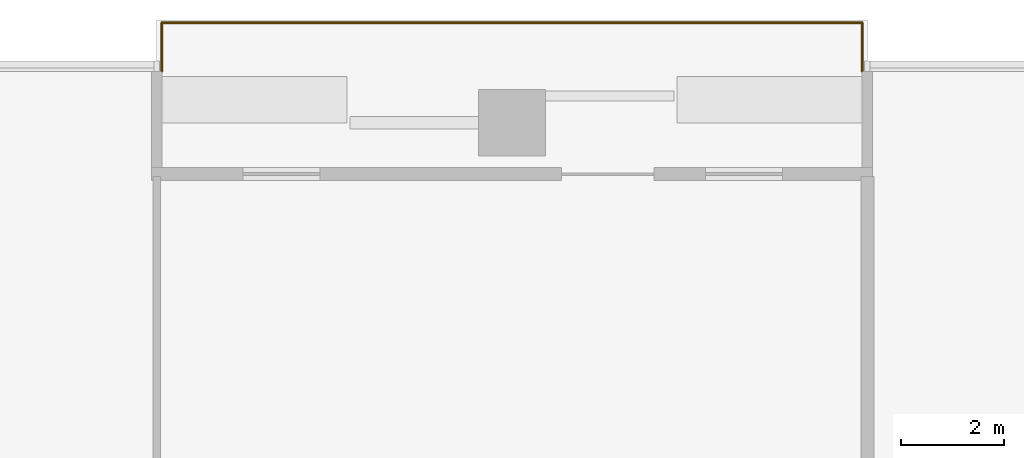
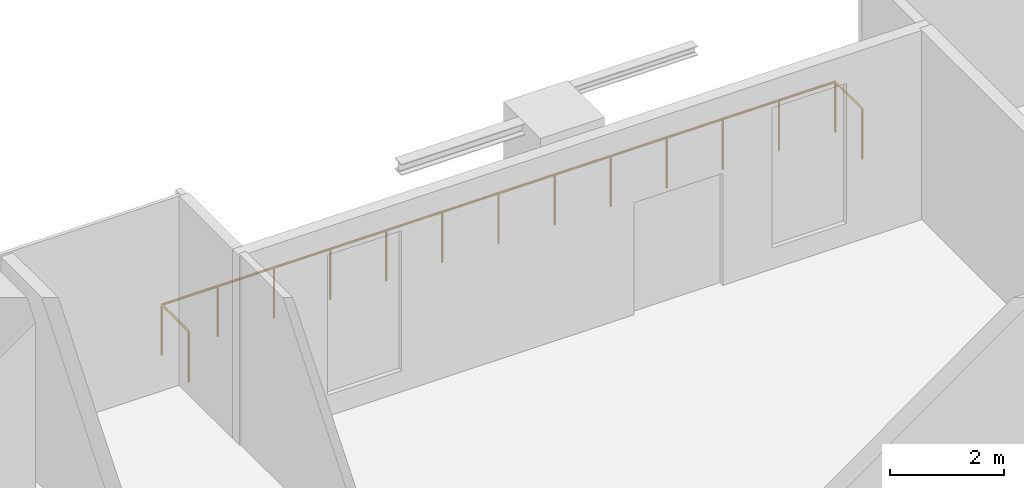
# One storey, part 15 of 15: 1 railing.
"""IFC4 building model written with IfcOpenShell, lengths in metres."""

import ifcopenshell
import ifcopenshell.guid

model = None  # the IFC model being written
_history = None  # IfcOwnerHistory: only IFC2X3 demands one
_inside = {}  # id of a spatial element -> (the spatial element, [elements in it])
_under = {}  # id of a project, library or spatial element -> (it, [spatial elements below it])
_declared = {}  # id of a project -> (the project, [libraries it declares])
_typed = {}  # id of a type object -> (the type object, [elements of that type])
_made_of = {}  # id of a material, layer set ... -> (it, [elements and type objects made of it])


def new_model(schema):
    """Start an empty IFC model of exactly this schema.

    Asked for "IFC4X3", IfcOpenShell would pick the latest addendum, in which some entities
    have other attributes; the version numbers below select the first issue.
    IFC2X3 requires an IfcOwnerHistory on every rooted entity: one is made here for all.
    """
    global model, _history
    if schema == "IFC4X3":
        model = ifcopenshell.file(schema_version=(4, 3, 0, 0))
    else:
        model = ifcopenshell.file(schema=schema)
    _inside.clear()
    _under.clear()
    _declared.clear()
    _typed.clear()
    _made_of.clear()
    _history = None
    if model.schema == "IFC2X3":
        org = make("IfcOrganization", Name="unknown")
        user = make(
            "IfcPersonAndOrganization",
            ThePerson=make("IfcPerson", FamilyName="unknown"),
            TheOrganization=org,
        )
        app = make(
            "IfcApplication",
            ApplicationDeveloper=org,
            Version="unknown",
            ApplicationFullName="unknown",
            ApplicationIdentifier="unknown",
        )
        _history = make(
            "IfcOwnerHistory",
            OwningUser=user,
            OwningApplication=app,
            ChangeAction="ADDED",
            CreationDate=0,
        )
    return model


def make(cls, **values):
    """One entity of the class cls with the attributes given. An attribute that is None is left unset."""
    return model.create_entity(
        cls, **{name: value for name, value in values.items() if value is not None}
    )


def rooted(cls, **values):
    """An entity with a GlobalId (a new one), such as an element, a storey or a relation."""
    return make(cls, GlobalId=ifcopenshell.guid.new(), OwnerHistory=_history, **values)


def si_unit(unit_type, name, prefix=None):
    """IfcSIUnit, for example si_unit("LENGTHUNIT", "METRE", prefix="MILLI")."""
    return make("IfcSIUnit", UnitType=unit_type, Prefix=prefix, Name=name)


def assignment(units):
    """IfcUnitAssignment: the units of a project."""
    return None if units is None else make("IfcUnitAssignment", Units=units)


def point(xyz):
    """IfcCartesianPoint."""
    return None if xyz is None else make("IfcCartesianPoint", Coordinates=xyz)


def direction(xyz):
    """IfcDirection."""
    return None if xyz is None else make("IfcDirection", DirectionRatios=xyz)


def frame(location, z_axis=None, x_axis=None):
    """IfcAxis2Placement3D, a coordinate frame: its origin and axes. An axis left out is left unset."""
    return make(
        "IfcAxis2Placement3D",
        Location=point(location),
        Axis=direction(z_axis),
        RefDirection=direction(x_axis),
    )


def frame_2d(location, x_axis=None):
    """IfcAxis2Placement2D, a coordinate frame in the plane: its origin and x axis."""
    return make(
        "IfcAxis2Placement2D", Location=point(location), RefDirection=direction(x_axis)
    )


def origin():
    """The frame at (0, 0, 0) with its axes left unset."""
    return frame((0.0, 0.0, 0.0))


def origin_2d():
    """The frame at (0, 0) in the plane with its x axis left unset."""
    return frame_2d((0.0, 0.0))


def place(relative_to, where):
    """IfcLocalPlacement: puts the frame where relative to a parent placement (None: the world)."""
    return make(
        "IfcLocalPlacement", PlacementRelTo=relative_to, RelativePlacement=where
    )


def context(
    kind, dimensions, precision=None, world=None, true_north=None, identifier=None
):
    """IfcGeometricRepresentationContext, for example the 3D "Model" context."""
    return make(
        "IfcGeometricRepresentationContext",
        ContextIdentifier=identifier,
        ContextType=kind,
        CoordinateSpaceDimension=dimensions,
        Precision=precision,
        WorldCoordinateSystem=world,
        TrueNorth=true_north,
    )


def subcontext(parent, identifier, kind, view, scale=None):
    """IfcGeometricRepresentationSubContext, for example "Body" below "Model"."""
    return make(
        "IfcGeometricRepresentationSubContext",
        ContextIdentifier=identifier,
        ContextType=kind,
        ParentContext=parent,
        TargetScale=scale,
        TargetView=view,
    )


def project(units=None, contexts=None):
    """IfcProject with its units and contexts."""
    return rooted(
        "IfcProject",
        Name="project",
        RepresentationContexts=contexts,
        UnitsInContext=assignment(units),
    )


def spatial(cls, under=None, at=None, **own):
    """A site, building, storey or space (cls), placed at a placement, below another one or the project."""
    s = rooted(cls, ObjectPlacement=at, **own)
    if under is not None:
        _under.setdefault(under.id(), (under, []))[1].append(s)
    return s


def profile(cls, at=None, kind="AREA", **sizes):
    """A parametric profile (cls). Its sizes go by their IFC names, for example OverallWidth=200.0."""
    return make(cls, ProfileType=kind, Position=at, **sizes)


def circle(**sizes):
    """IfcCircleProfileDef."""
    return profile("IfcCircleProfileDef", **sizes)


def extrude(swept, where, along, depth):
    """IfcExtrudedAreaSolid: the profile swept, set in the frame where, extruded along a direction by depth."""
    return make(
        "IfcExtrudedAreaSolid",
        SweptArea=swept,
        Position=where,
        ExtrudedDirection=direction(along),
        Depth=depth,
    )


def shape(context_of_items, identifier, shape_type, items):
    """IfcShapeRepresentation: the items that make up one representation, for example the "Body"."""
    return make(
        "IfcShapeRepresentation",
        ContextOfItems=context_of_items,
        RepresentationIdentifier=identifier,
        RepresentationType=shape_type,
        Items=items,
    )


def material(Name=None, Category=None):
    """IfcMaterial."""
    return make("IfcMaterial", Name=Name, Category=Category)


def made_of(thing, what):
    """Note that an element or type object is made of a material, layer set ...; save() writes the relation."""
    if what is not None:
        _made_of.setdefault(what.id(), (what, []))[1].append(thing)
    return thing


def type_object(cls, material=None, **own):
    """A type object (cls), such as IfcWallType, which elements share."""
    return made_of(rooted(cls, **own), material)


def element(
    cls,
    number,
    at=None,
    inside=None,
    cuts=None,
    type_object=None,
    material=None,
    context=None,
    identifier="Body",
    shape_type=None,
    held_by="IfcProductDefinitionShape",
    body=None,
    shapes=None,
    **own,
):
    """One element of the class cls, such as IfcWall. Its Tag is "e" and its number.

    at: its placement. inside: the storey or other place that contains it. cuts: it is an
    opening in that element (IfcRelVoidsElement). A single representation is given by context,
    identifier, shape_type and body (its items); several are given by shapes. held_by: the class
    of the entity that holds the representations. save() writes the other relations.
    """
    e = rooted(cls, Tag="e%d" % number, ObjectPlacement=at, **own)
    if body is not None:
        shapes = [shape(context, identifier, shape_type, body)]
    if shapes is not None:
        e.Representation = make(held_by, Representations=shapes)
    if inside is not None:
        _inside.setdefault(inside.id(), (inside, []))[1].append(e)
    if cuts is not None:
        rooted(
            "IfcRelVoidsElement", RelatingBuildingElement=cuts, RelatedOpeningElement=e
        )
    if type_object is not None:
        _typed.setdefault(type_object.id(), (type_object, []))[1].append(e)
    return made_of(e, material)


def aggregate(whole, parts):
    """IfcRelAggregates: a whole, such as a stair, and the parts it consists of."""
    return rooted("IfcRelAggregates", RelatingObject=whole, RelatedObjects=parts)


def save(model, path):
    """Write the relations noted so far, then the file.

    IfcRelAggregates (storeys below a building ...), IfcRelContainedInSpatialStructure (elements
    in a storey), IfcRelDefinesByType, IfcRelAssociatesMaterial and IfcRelDeclares: one each for
    every whole, place, type object, material and project.
    """
    for whole, parts in _under.values():
        aggregate(whole, parts)
    for where, things in _inside.values():
        rooted(
            "IfcRelContainedInSpatialStructure",
            RelatedElements=things,
            RelatingStructure=where,
        )
    for kind, things in _typed.values():
        rooted("IfcRelDefinesByType", RelatedObjects=things, RelatingType=kind)
    for what, things in _made_of.values():
        rooted("IfcRelAssociatesMaterial", RelatedObjects=things, RelatingMaterial=what)
    for by, libraries in _declared.values():
        rooted("IfcRelDeclares", RelatingContext=by, RelatedDefinitions=libraries)
    model.write(path)


model = new_model("IFC4")

# Units and contexts
model_context = context("Model", 3, precision=1e-05, world=origin(), true_north=direction((0.0, 1.0)))
body_context = subcontext(model_context, "Body", "Model", "MODEL_VIEW")
ifc_project = project(units=[si_unit("LENGTHUNIT", "METRE"), si_unit("AREAUNIT", "SQUARE_METRE"), si_unit("VOLUMEUNIT", "CUBIC_METRE"), si_unit("PLANEANGLEUNIT", "RADIAN"), si_unit("MASSUNIT", "GRAM", prefix="KILO")], contexts=[model_context])

# Site, building, storey
site_placement = place(None, origin())
site = spatial("IfcSite", under=ifc_project, at=site_placement, CompositionType="ELEMENT")
building_placement = place(site_placement, origin())
building = spatial("IfcBuilding", under=site, at=building_placement, Name="Mopane Tessera Tower", CompositionType="ELEMENT")
storey_placement = place(building_placement, frame((0.0, 0.0, 103.60009765625)))
storey = spatial("IfcBuildingStorey", under=building, at=storey_placement, Name="L20", CompositionType="ELEMENT", Elevation=103.60009765625)

# Railing
ifc_material = material(Name="Stainless steel S316", Category="steel")
railing_type = type_object("IfcRailingType", Name="Terrace guard 1100", PredefinedType="GUARDRAIL", material=ifc_material)
railing_placement = place(storey_placement, frame((18.340087890625, 25.5, 0.0)))
element("IfcRailing", 1, at=railing_placement, inside=storey, type_object=railing_type, Name="e:nw:L20:N1:guard", PredefinedType="GUARDRAIL", context=body_context, shape_type="SweptSolid", body=[
    extrude(circle(Radius=0.02392578125, at=origin_2d()), frame((0.0, 0.0, 1.076171875), z_axis=(0.0, 1.0, 0.0), x_axis=(-1.0, 0.0, 0.0)), (0.0, 0.0, 1.0), 0.949951171875),
    extrude(circle(Radius=0.02392578125, at=origin_2d()), frame((0.0, 0.949951171875, 1.076171875), z_axis=(-1.0, 0.0, 0.0), x_axis=(0.0, -1.0, 0.0)), (0.0, 0.0, 1.0), 13.630126953125),
    extrude(circle(Radius=0.02392578125, at=origin_2d()), frame((-13.630126953125, 0.949951171875, 1.076171875), z_axis=(0.0, -1.0, 0.0), x_axis=(1.0, 0.0, 0.0)), (0.0, 0.0, 1.0), 0.949951171875),
    extrude(circle(Radius=0.02099609375, at=origin_2d()), origin(), (0.0, 0.0, 1.0), 1.052001953125),
    extrude(circle(Radius=0.02099609375, at=origin_2d()), frame((0.0, 0.949951171875, 0.0)), (0.0, 0.0, 1.0), 1.052001953125),
    extrude(circle(Radius=0.02099609375, at=origin_2d()), frame((-1.1357421875, 0.949951171875, 0.0)), (0.0, 0.0, 1.0), 1.052001953125),
    extrude(circle(Radius=0.02099609375, at=origin_2d()), frame((-2.271728515625, 0.949951171875, 0.0)), (0.0, 0.0, 1.0), 1.052001953125),
    extrude(circle(Radius=0.02099609375, at=origin_2d()), frame((-3.407470703125, 0.949951171875, 0.0)), (0.0, 0.0, 1.0), 1.052001953125),
    extrude(circle(Radius=0.02099609375, at=origin_2d()), frame((-4.54345703125, 0.949951171875, 0.0)), (0.0, 0.0, 1.0), 1.052001953125),
    extrude(circle(Radius=0.02099609375, at=origin_2d()), frame((-5.67919921875, 0.949951171875, 0.0)), (0.0, 0.0, 1.0), 1.052001953125),
    extrude(circle(Radius=0.02099609375, at=origin_2d()), frame((-6.81494140625, 0.949951171875, 0.0)), (0.0, 0.0, 1.0), 1.052001953125),
    extrude(circle(Radius=0.02099609375, at=origin_2d()), frame((-7.950927734375, 0.949951171875, 0.0)), (0.0, 0.0, 1.0), 1.052001953125),
    extrude(circle(Radius=0.02099609375, at=origin_2d()), frame((-9.086669921875, 0.949951171875, 0.0)), (0.0, 0.0, 1.0), 1.052001953125),
    extrude(circle(Radius=0.02099609375, at=origin_2d()), frame((-10.22265625, 0.949951171875, 0.0)), (0.0, 0.0, 1.0), 1.052001953125),
    extrude(circle(Radius=0.02099609375, at=origin_2d()), frame((-11.3583984375, 0.949951171875, 0.0)), (0.0, 0.0, 1.0), 1.052001953125),
    extrude(circle(Radius=0.02099609375, at=origin_2d()), frame((-12.494384765625, 0.949951171875, 0.0)), (0.0, 0.0, 1.0), 1.052001953125),
    extrude(circle(Radius=0.02099609375, at=origin_2d()), frame((-13.630126953125, 0.949951171875, 0.0)), (0.0, 0.0, 1.0), 1.052001953125),
    extrude(circle(Radius=0.02099609375, at=origin_2d()), frame((-13.630126953125, 0.0, 0.0)), (0.0, 0.0, 1.0), 1.052001953125),
])

save(model, "model.ifc")
